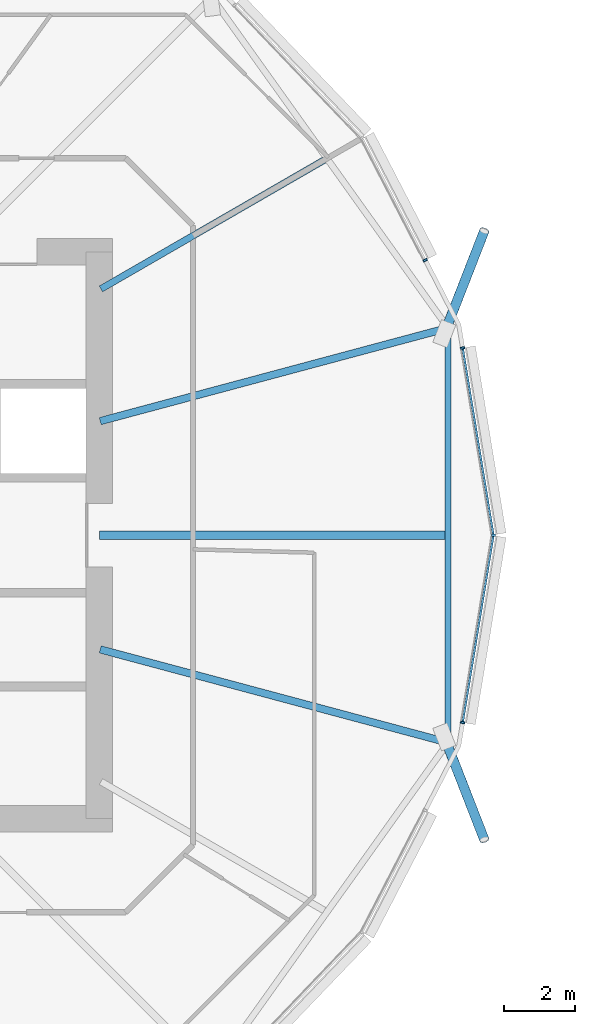
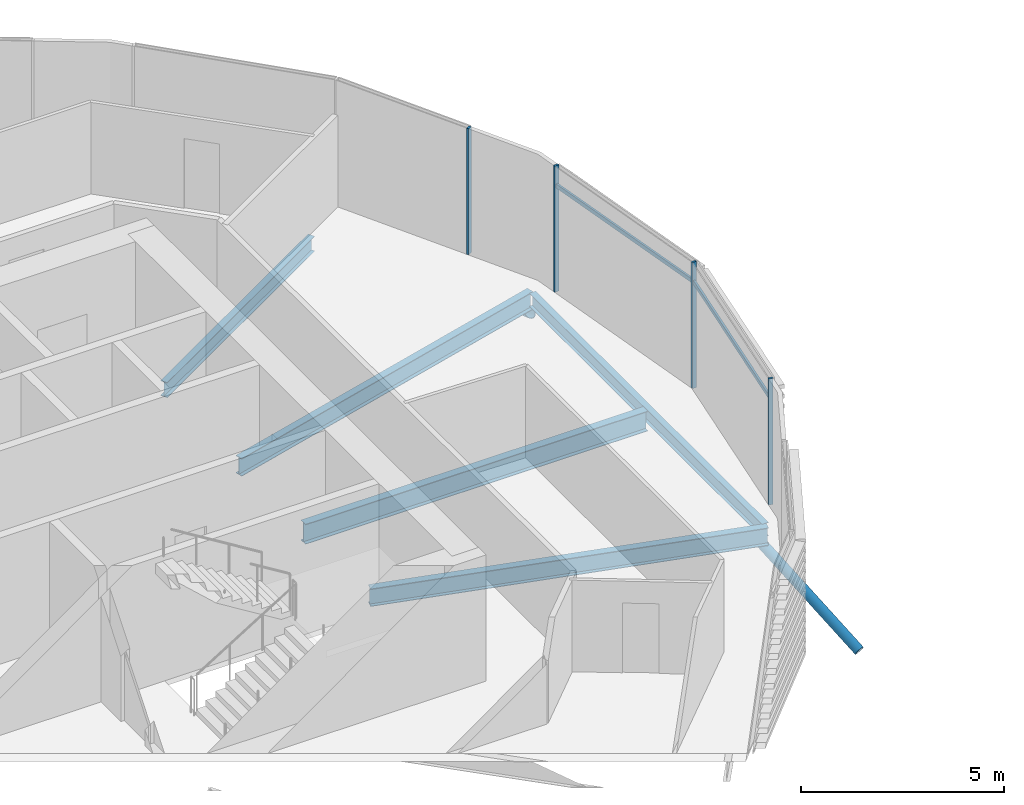
# One storey, part 8 of 38: 8 members, 5 beams, 1 element without a shape of its own.
"""IFC4 building model written with IfcOpenShell, lengths in metres."""

from ifc_helpers import new_model, si_unit, direction, frame, origin, origin_2d, place, context, subcontext, project, spatial, rectangle, hollow_circle, i_section, extrude, clip, halfspace, material, material_profile, profile_set, type_object, element, aggregate, save


model = new_model("IFC4")

# Units and contexts
model_context = context("Model", 3, precision=1e-05, world=origin(), true_north=direction((0.0, 1.0)))
body_context = subcontext(model_context, "Body", "Model", "MODEL_VIEW")
ifc_project = project(units=[si_unit("LENGTHUNIT", "METRE"), si_unit("AREAUNIT", "SQUARE_METRE"), si_unit("VOLUMEUNIT", "CUBIC_METRE"), si_unit("PLANEANGLEUNIT", "RADIAN"), si_unit("MASSUNIT", "GRAM", prefix="KILO")], contexts=[model_context])

# Site, building, storey
site_placement = place(None, origin())
site = spatial("IfcSite", under=ifc_project, at=site_placement, CompositionType="ELEMENT")
building_placement = place(site_placement, origin())
building = spatial("IfcBuilding", under=site, at=building_placement, Name="Rimbun Link Towers", CompositionType="ELEMENT")
storey_placement = place(building_placement, frame((0.0, 0.0, 123.39990234375)))
storey = spatial("IfcBuildingStorey", under=building, at=storey_placement, Name="L30", CompositionType="ELEMENT", Elevation=123.39990234375)

# Curtain wall, members
ifc_material_1 = material(Name="Aluminium 6063-T6 and low-iron glass", Category="aluminium")
curtain_wall_type = type_object("IfcCurtainWallType", Name="CW1-Z2 unitised vision wall (zone 2)", PredefinedType="NOTDEFINED", material=ifc_material_1)
curtain_wall_placement = place(storey_placement, origin())
curtain_wall = element("IfcCurtainWall", 1, at=curtain_wall_placement, inside=storey, type_object=curtain_wall_type, Name="CW1 L30 T1", PredefinedType="NOTDEFINED")
ifc_material_2 = material(Name="Aluminium 6063-T6", Category="aluminium")
ifc_material_profile_1 = material_profile(ifc_material_2, rectangle(XDim=0.1201171875, YDim=0.06005859375, at=origin_2d()), Name="MULLION 60X120")
ifc_profile_set_1 = profile_set([ifc_material_profile_1], Name="Aluminium 6063-T6")
member_type_1 = type_object("IfcMemberType", Name="CW1 mullion 60X120", PredefinedType="MULLION", material=ifc_profile_set_1)
member_1_placement = place(storey_placement, frame((-9.488037109375, 5.289306640625, 0.0), z_axis=(0.0, 0.0, 1.0), x_axis=(0.986746548815, 0.162269061749, 0.0)))
member_1 = element("IfcMember", 2, at=member_1_placement, type_object=member_type_1, Name="CW1 mullion", PredefinedType="MULLION", context=body_context, shape_type="SweptSolid", body=[
    extrude(rectangle(XDim=0.1201171875, YDim=0.06005859375, at=origin_2d()), origin(), (0.0, 0.0, 1.0), 3.800048828125),
])
member_2_placement = place(storey_placement, frame((-8.618896484375, 0.0, 0.0), z_axis=(0.0, 0.0, 1.0), x_axis=(1.0, 0.0, 0.0)))
member_2 = element("IfcMember", 3, at=member_2_placement, type_object=member_type_1, Name="CW1 mullion", PredefinedType="MULLION", context=body_context, shape_type="SweptSolid", body=[
    extrude(rectangle(XDim=0.1201171875, YDim=0.06005859375, at=origin_2d()), origin(), (0.0, 0.0, 1.0), 3.800048828125),
])
member_3_placement = place(storey_placement, frame((-10.54150390625, 7.769287109375, 0.0), z_axis=(0.0, 0.0, 1.0), x_axis=(0.888156623203, 0.459540871589, 0.0)))
member_3 = element("IfcMember", 4, at=member_3_placement, type_object=member_type_1, Name="CW1 mullion", PredefinedType="MULLION", context=body_context, shape_type="SweptSolid", body=[
    extrude(rectangle(XDim=0.1201171875, YDim=0.06005859375, at=origin_2d()), origin(), (0.0, 0.0, 1.0), 3.800048828125),
])
member_4_placement = place(storey_placement, frame((-9.488037109375, -5.289306640625, 0.0), z_axis=(0.0, 0.0, 1.0), x_axis=(0.986746548815, -0.162269061749, 0.0)))
member_4 = element("IfcMember", 5, at=member_4_placement, type_object=member_type_1, Name="CW1 mullion", PredefinedType="MULLION", context=body_context, shape_type="SweptSolid", body=[
    extrude(rectangle(XDim=0.1201171875, YDim=0.06005859375, at=origin_2d()), origin(), (0.0, 0.0, 1.0), 3.800048828125),
])
ifc_material_3 = material(Name="Aluminium 6063-T6", Category="aluminium")
ifc_material_profile_2 = material_profile(ifc_material_3, rectangle(XDim=0.06005859375, YDim=0.1201171875, at=origin_2d()), Name="TRANSOM 60X120")
ifc_profile_set_2 = profile_set([ifc_material_profile_2], Name="Aluminium 6063-T6")
member_type_2 = type_object("IfcMemberType", Name="CW1 transom 60X120", PredefinedType="USERDEFINED", material=ifc_profile_set_2)
member_5_placement = place(storey_placement, frame((-9.485107421875, 5.259521484375, 3.2001953125), z_axis=(0.162250916915, -0.986749532536, 0.0), x_axis=(0.986749532536, 0.162250916915, 0.0)))
member_5 = element("IfcMember", 6, at=member_5_placement, type_object=member_type_2, Name="CW1 transom", ObjectType="TRANSOM", PredefinedType="USERDEFINED", context=body_context, shape_type="SweptSolid", body=[
    extrude(rectangle(XDim=0.06005859375, YDim=0.1201171875, at=origin_2d()), origin(), (0.0, 0.0, 1.0), 5.29052734375),
])
member_6_placement = place(storey_placement, frame((-8.626708984375, -0.0390625, 3.2001953125), z_axis=(-0.162250916915, -0.986749532536, 0.0), x_axis=(0.986749532536, -0.162250916915, 0.0)))
member_6 = element("IfcMember", 7, at=member_6_placement, type_object=member_type_2, Name="CW1 transom", ObjectType="TRANSOM", PredefinedType="USERDEFINED", context=body_context, shape_type="SweptSolid", body=[
    extrude(rectangle(XDim=0.06005859375, YDim=0.1201171875, at=origin_2d()), origin(), (0.0, 0.0, 1.0), 5.29052734375),
])
aggregate(curtain_wall, [member_1, member_2, member_3, member_4, member_5, member_6])

# Members
ifc_material_4 = material(Name="Steel S355J2H", Category="steel")
ifc_material_profile_3 = material_profile(ifc_material_4, hollow_circle(Radius=0.136474609375, WallThickness=0.012451171875, at=origin_2d()), Name="CHS 273x12.5")
ifc_profile_set_3 = profile_set([ifc_material_profile_3], Name="Steel S355J2H")
member_type_3 = type_object("IfcMemberType", Name="Floor edge link CHS 273x12.5", PredefinedType="BRACE", material=ifc_profile_set_3)
for number, where, z_axis, x_axis, name in (
    (8, (-9.9482421875, 5.841796875, -0.8095703125), (0.309722795941, 0.794824017169, -0.52184918454), (-0.931757126985, 0.36308216193, 0.0), "Floor edge link T1 L30 01"),
    (9, (-9.9482421875, -5.841796875, -0.8095703125), (0.309722795941, -0.794824017169, -0.52184918454), (0.931757126985, 0.36308216193, 0.0), "Floor edge link T1 L30 23"),
):
    element("IfcMember", number, at=place(storey_placement, frame(where, z_axis=z_axis, x_axis=x_axis)), inside=storey, type_object=member_type_3, Name=name, PredefinedType="BRACE", context=body_context, shape_type="Clipping", body=[
        clip(extrude(hollow_circle(Radius=0.136474609375, WallThickness=0.012451171875, at=origin_2d()), frame((0.0, 0.0, -0.46533203125)), (0.0, 0.0, 1.0), 3.93994140625), halfspace(frame((0.0, 0.0, -0.219482421875), z_axis=(0.0, 0.853037765046, -0.52184918454)), False)),
    ])

# Beams
ifc_material_5 = material(Name="Steel S355J2", Category="steel")
ifc_material_profile_4 = material_profile(ifc_material_5, i_section(OverallWidth=0.177978515625, OverallDepth=0.406494140625, WebThickness=0.0078125, FlangeThickness=0.0126953125, at=origin_2d()), Name="UB 406x178x60")
ifc_profile_set_4 = profile_set([ifc_material_profile_4], Name="Steel S355J2")
beam_type_1 = type_object("IfcBeamType", Name="UB 406x178x60", PredefinedType="BEAM", material=ifc_profile_set_4)
beam_1_placement = place(storey_placement, frame((-9.89990234375, -5.745361328125, -0.363037109375), z_axis=(0.0, 1.0, 0.0), x_axis=(-1.0, 0.0, 0.0)))
element("IfcBeam", 10, at=beam_1_placement, inside=storey, type_object=beam_type_1, Name="Edge beam T1 L30 23-01", PredefinedType="BEAM", context=body_context, shape_type="SweptSolid", body=[
    extrude(i_section(OverallWidth=0.177978515625, OverallDepth=0.406494140625, WebThickness=0.0078125, FlangeThickness=0.0126953125, at=origin_2d()), origin(), (0.0, 0.0, 1.0), 11.49072265625),
])
ifc_material_6 = material(Name="Steel S355J2", Category="steel")
ifc_material_profile_5 = material_profile(ifc_material_6, i_section(OverallWidth=0.18994140625, OverallDepth=0.453369140625, WebThickness=0.008544921875, FlangeThickness=0.0126953125, at=origin_2d()), Name="UB 457x191x67")
ifc_profile_set_5 = profile_set([ifc_material_profile_5], Name="Steel S355J2")
beam_type_2 = type_object("IfcBeamType", Name="UB 457x191x67", PredefinedType="BEAM", material=ifc_profile_set_5)
beam_2_placement = place(storey_placement, frame((-19.70166015625, 6.9560546875, -0.38671875), z_axis=(0.866028075408, 0.499995372584, 0.0), x_axis=(-0.499995372584, 0.866028075408, 0.0)))
element("IfcBeam", 11, at=beam_2_placement, inside=storey, type_object=beam_type_2, Name="Radial beam T1 L30 02", PredefinedType="BEAM", context=body_context, shape_type="SweptSolid", body=[
    extrude(i_section(OverallWidth=0.18994140625, OverallDepth=0.453369140625, WebThickness=0.008544921875, FlangeThickness=0.0126953125, at=origin_2d()), origin(), (0.0, 0.0, 1.0), 7.27880859375),
])
ifc_material_7 = material(Name="Steel S355J2", Category="steel")
ifc_material_profile_6 = material_profile(ifc_material_7, i_section(OverallWidth=0.209228515625, OverallDepth=0.533203125, WebThickness=0.010009765625, FlangeThickness=0.015625, at=origin_2d()), Name="UB 533x210x92")
ifc_profile_set_6 = profile_set([ifc_material_profile_6], Name="Steel S355J2")
beam_type_3 = type_object("IfcBeamType", Name="UB 533x210x92", PredefinedType="BEAM", material=ifc_profile_set_6)
for number, where, z_axis, x_axis, name in (
    (12, (-19.721923828125, 3.222900390625, -0.426513671875), (0.965925009726, 0.258822092537, 0.0), (-0.258822092537, 0.965925009726, 0.0), "Radial beam T1 L30 01"),
    (13, (-19.721923828125, -3.222900390625, -0.426513671875), (0.965925009726, -0.258822092537, 0.0), (0.258822092537, 0.965925009726, 0.0), "Radial beam T1 L30 23"),
):
    element("IfcBeam", number, at=place(storey_placement, frame(where, z_axis=z_axis, x_axis=x_axis)), inside=storey, type_object=beam_type_3, Name=name, PredefinedType="BEAM", context=body_context, shape_type="SweptSolid", body=[
        extrude(i_section(OverallWidth=0.209228515625, OverallDepth=0.533203125, WebThickness=0.010009765625, FlangeThickness=0.015625, at=origin_2d()), origin(), (0.0, 0.0, 1.0), 10.16845703125),
    ])
ifc_material_8 = material(Name="Steel S355J2", Category="steel")
ifc_material_profile_7 = material_profile(ifc_material_8, i_section(OverallWidth=0.2275390625, OverallDepth=0.6025390625, WebThickness=0.010498046875, FlangeThickness=0.014892578125, at=origin_2d()), Name="UB 610x229x101")
ifc_profile_set_7 = profile_set([ifc_material_profile_7], Name="Steel S355J2")
beam_type_4 = type_object("IfcBeamType", Name="UB 610x229x101", PredefinedType="BEAM", material=ifc_profile_set_7)
beam_3_placement = place(storey_placement, frame((-19.7490234375, 0.0, -0.461181640625), z_axis=(1.0, 0.0, 0.0), x_axis=(0.0, 1.0, 0.0)))
element("IfcBeam", 14, at=beam_3_placement, inside=storey, type_object=beam_type_4, Name="Radial beam T1 L30 00", PredefinedType="BEAM", context=body_context, shape_type="SweptSolid", body=[
    extrude(i_section(OverallWidth=0.2275390625, OverallDepth=0.6025390625, WebThickness=0.010498046875, FlangeThickness=0.014892578125, at=origin_2d()), origin(), (0.0, 0.0, 1.0), 9.75927734375),
])

save(model, "model.ifc")
